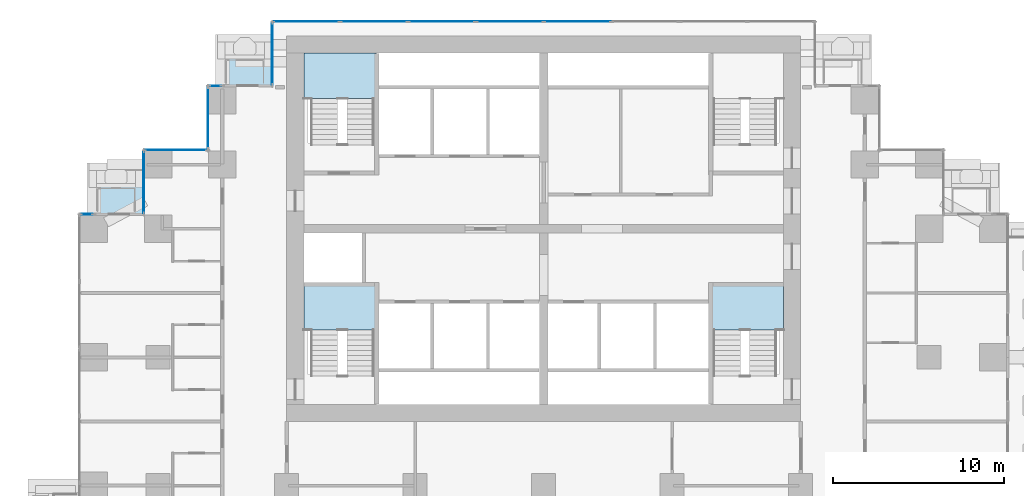
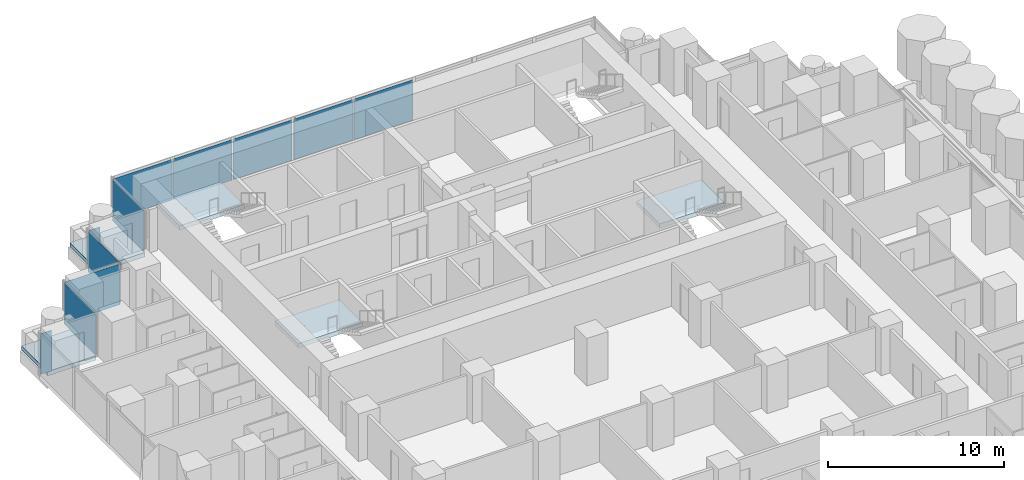
# One storey, part 8 of 18: 11 plates, 5 slabs, 11 elements without a shape of their own.
"""IFC4 building model written with IfcOpenShell, lengths in metres."""

from ifc_helpers import new_model, si_unit, direction, frame, origin, origin_2d, place, context, subcontext, project, spatial, polyline, rectangle, outline, extrude, material, layer, layer_set, type_object, element, aggregate, save


model = new_model("IFC4")

# Units and contexts
model_context = context("Model", 3, precision=1e-05, world=origin(), true_north=direction((0.0, 1.0)))
body_context = subcontext(model_context, "Body", "Model", "MODEL_VIEW")
ifc_project = project(units=[si_unit("LENGTHUNIT", "METRE"), si_unit("AREAUNIT", "SQUARE_METRE"), si_unit("VOLUMEUNIT", "CUBIC_METRE"), si_unit("PLANEANGLEUNIT", "RADIAN"), si_unit("MASSUNIT", "GRAM", prefix="KILO")], contexts=[model_context])

# Site, building, storey
site_placement = place(None, origin())
site = spatial("IfcSite", under=ifc_project, at=site_placement, CompositionType="ELEMENT")
building_placement = place(site_placement, origin())
building = spatial("IfcBuilding", under=site, at=building_placement, Name="Pilkhan Gate Tower", CompositionType="ELEMENT")
storey_placement = place(building_placement, frame((0.0, 0.0, 52.699951171875)))
storey = spatial("IfcBuildingStorey", under=building, at=storey_placement, Name="L10", CompositionType="ELEMENT", Elevation=52.699951171875)

# Slabs
ifc_material_1 = material(Name="Concrete C60/75", Category="concrete")
ifc_layer_1 = layer(ifc_material_1, 0.300048828125)
ifc_layer_set_1 = layer_set([ifc_layer_1], Name="Balcony tray slab TR300")
slab_type_1 = type_object("IfcSlabType", Name="Balcony tray slab TR300", PredefinedType="FLOOR", material=ifc_layer_set_1)
slab_1_placement = place(storey_placement, frame((0.0, 0.0, -0.300048828125)))
element("IfcSlab", 1, at=slab_1_placement, inside=storey, type_object=slab_type_1, Name="Balcony tray L10 N", PredefinedType="FLOOR", context=body_context, shape_type="SweptSolid", body=[
    extrude(outline(polyline([(59.14990234375, 90.85009765625), (59.14990234375, 93.85009765625), (55.949951171875, 93.85009765625), (55.949951171875, 90.85009765625), (59.14990234375, 90.85009765625)])), origin(), (0.0, 0.0, 1.0), 0.300048828125),
])
slab_2_placement = place(storey_placement, frame((0.0, 0.0, -0.300048828125)))
element("IfcSlab", 2, at=slab_2_placement, inside=storey, type_object=slab_type_1, Name="Balcony tray L10 N", PredefinedType="FLOOR", context=body_context, shape_type="SweptSolid", body=[
    extrude(outline(polyline([(51.6298828125, 83.3701171875), (51.6298828125, 86.35009765625), (48.449951171875, 86.35009765625), (48.449951171875, 83.3701171875), (51.6298828125, 83.3701171875)])), origin(), (0.0, 0.0, 1.0), 0.300048828125),
])

# Curtain wall, plates
ifc_material_2 = material(Name="Pale anodised aluminium, clear low-iron double glazing", Category="aluminium")
curtain_wall_type = type_object("IfcCurtainWallType", Name="Hotel unitised curtain wall CW-H", PredefinedType="USERDEFINED", material=ifc_material_2)
curtain_wall_1_placement = place(storey_placement, origin())
curtain_wall_1 = element("IfcCurtainWall", 3, at=curtain_wall_1_placement, inside=storey, type_object=curtain_wall_type, Name="Hotel unitised curtain wall CW-H L10 N", ObjectType="UNITISED CURTAIN WALL", PredefinedType="USERDEFINED")
ifc_material_3 = material(Name="Clear low-iron double glazing", Category="glass")
ifc_layer_2 = layer(ifc_material_3, 0.035888671875)
ifc_layer_set_2 = layer_set([ifc_layer_2], Name="Glass panel CW-H 36")
plate_type = type_object("IfcPlateType", Name="Glass panel CW-H 36", PredefinedType="CURTAIN_PANEL", material=ifc_layer_set_2)
plate_1_placement = place(storey_placement, frame((61.15185546875, 94.594970703125, 0.0), z_axis=(0.0, 0.0, 1.0), x_axis=(1.0, 0.0, 0.0)))
plate_1 = element("IfcPlate", 4, at=plate_1_placement, type_object=plate_type, Name="CW-H panel 1", PredefinedType="CURTAIN_PANEL", context=body_context, shape_type="SweptSolid", body=[
    extrude(rectangle(XDim=3.86376953125, YDim=0.035888671875, at=origin_2d()), origin(), (0.0, 0.0, 1.0), 2.820068359375),
])
plate_2_placement = place(storey_placement, frame((65.096923828125, 94.594970703125, 0.0), z_axis=(0.0, 0.0, 1.0), x_axis=(1.0, 0.0, 0.0)))
plate_2 = element("IfcPlate", 5, at=plate_2_placement, type_object=plate_type, Name="CW-H panel 2", PredefinedType="CURTAIN_PANEL", context=body_context, shape_type="SweptSolid", body=[
    extrude(rectangle(XDim=3.896240234375, YDim=0.035888671875, at=origin_2d()), origin(), (0.0, 0.0, 1.0), 2.820068359375),
])
plate_3_placement = place(storey_placement, frame((69.0419921875, 94.594970703125, 0.0), z_axis=(0.0, 0.0, 1.0), x_axis=(1.0, 0.0, 0.0)))
plate_3 = element("IfcPlate", 6, at=plate_3_placement, type_object=plate_type, Name="CW-H panel 3", PredefinedType="CURTAIN_PANEL", context=body_context, shape_type="SweptSolid", body=[
    extrude(rectangle(XDim=3.86376953125, YDim=0.035888671875, at=origin_2d()), origin(), (0.0, 0.0, 1.0), 2.820068359375),
])
aggregate(curtain_wall_1, [plate_1, plate_2, plate_3])

curtain_wall_2_placement = place(storey_placement, origin())
curtain_wall_2 = element("IfcCurtainWall", 7, at=curtain_wall_2_placement, inside=storey, type_object=curtain_wall_type, Name="Hotel unitised curtain wall CW-H L10 N", ObjectType="UNITISED CURTAIN WALL", PredefinedType="USERDEFINED")
plate_4_placement = place(storey_placement, frame((73.03564453125, 94.594970703125, 0.0), z_axis=(0.0, 0.0, 1.0), x_axis=(1.0, 0.0, 0.0)))
plate_4 = element("IfcPlate", 8, at=plate_4_placement, type_object=plate_type, Name="CW-H panel 1", PredefinedType="CURTAIN_PANEL", context=body_context, shape_type="SweptSolid", body=[
    extrude(rectangle(XDim=3.86376953125, YDim=0.035888671875, at=origin_2d()), origin(), (0.0, 0.0, 1.0), 2.820068359375),
])
plate_5_placement = place(storey_placement, frame((76.980712890625, 94.594970703125, 0.0), z_axis=(0.0, 0.0, 1.0), x_axis=(1.0, 0.0, 0.0)))
plate_5 = element("IfcPlate", 9, at=plate_5_placement, type_object=plate_type, Name="CW-H panel 2", PredefinedType="CURTAIN_PANEL", context=body_context, shape_type="SweptSolid", body=[
    extrude(rectangle(XDim=3.896240234375, YDim=0.035888671875, at=origin_2d()), origin(), (0.0, 0.0, 1.0), 2.820068359375),
])
aggregate(curtain_wall_2, [plate_4, plate_5])

# Curtain wall, plate
curtain_wall_3_placement = place(storey_placement, origin())
curtain_wall_3 = element("IfcCurtainWall", 10, at=curtain_wall_3_placement, inside=storey, type_object=curtain_wall_type, Name="Hotel unitised curtain wall CW-H L10 W", ObjectType="UNITISED CURTAIN WALL", PredefinedType="USERDEFINED")
plate_6_placement = place(storey_placement, frame((59.155029296875, 92.719970703125, 0.0), z_axis=(0.0, 0.0, 1.0), x_axis=(0.0, 1.0, 0.0)))
plate_6 = element("IfcPlate", 11, at=plate_6_placement, type_object=plate_type, Name="CW-H panel 1", PredefinedType="CURTAIN_PANEL", context=body_context, shape_type="SweptSolid", body=[
    extrude(rectangle(XDim=3.6201171875, YDim=0.035888671875, at=origin_2d()), origin(), (0.0, 0.0, 1.0), 2.820068359375),
])
aggregate(curtain_wall_3, [plate_6])

curtain_wall_4_placement = place(storey_placement, origin())
curtain_wall_4 = element("IfcCurtainWall", 12, at=curtain_wall_4_placement, inside=storey, type_object=curtain_wall_type, Name="Hotel unitised curtain wall CW-H L10 N", ObjectType="UNITISED CURTAIN WALL", PredefinedType="USERDEFINED")
plate_7_placement = place(storey_placement, frame((55.827392578125, 90.844970703125, 0.0), z_axis=(0.0, 0.0, 1.0), x_axis=(1.0, 0.0, 0.0)))
plate_7 = element("IfcPlate", 13, at=plate_7_placement, type_object=plate_type, Name="CW-H panel 1", PredefinedType="CURTAIN_PANEL", context=body_context, shape_type="SweptSolid", body=[
    extrude(rectangle(XDim=0.715087890625, YDim=0.035888671875, at=origin_2d()), origin(), (0.0, 0.0, 1.0), 2.820068359375),
])
aggregate(curtain_wall_4, [plate_7])

curtain_wall_5_placement = place(storey_placement, origin())
curtain_wall_5 = element("IfcCurtainWall", 14, at=curtain_wall_5_placement, inside=storey, type_object=curtain_wall_type, Name="Hotel unitised curtain wall CW-H L10 W", ObjectType="UNITISED CURTAIN WALL", PredefinedType="USERDEFINED")
plate_8_placement = place(storey_placement, frame((55.405029296875, 88.969970703125, 0.0), z_axis=(0.0, 0.0, 1.0), x_axis=(0.0, 1.0, 0.0)))
plate_8 = element("IfcPlate", 15, at=plate_8_placement, type_object=plate_type, Name="CW-H panel 1", PredefinedType="CURTAIN_PANEL", context=body_context, shape_type="SweptSolid", body=[
    extrude(rectangle(XDim=3.6201171875, YDim=0.035888671875, at=origin_2d()), origin(), (0.0, 0.0, 1.0), 2.820068359375),
])
aggregate(curtain_wall_5, [plate_8])

curtain_wall_6_placement = place(storey_placement, origin())
curtain_wall_6 = element("IfcCurtainWall", 16, at=curtain_wall_6_placement, inside=storey, type_object=curtain_wall_type, Name="Hotel unitised curtain wall CW-H L10 N", ObjectType="UNITISED CURTAIN WALL", PredefinedType="USERDEFINED")
plate_9_placement = place(storey_placement, frame((53.530029296875, 87.094970703125, 0.0), z_axis=(0.0, 0.0, 1.0), x_axis=(1.0, 0.0, 0.0)))
plate_9 = element("IfcPlate", 17, at=plate_9_placement, type_object=plate_type, Name="CW-H panel 1", PredefinedType="CURTAIN_PANEL", context=body_context, shape_type="SweptSolid", body=[
    extrude(rectangle(XDim=3.6201171875, YDim=0.035888671875, at=origin_2d()), origin(), (0.0, 0.0, 1.0), 2.820068359375),
])
aggregate(curtain_wall_6, [plate_9])

curtain_wall_7_placement = place(storey_placement, origin())
curtain_wall_7 = element("IfcCurtainWall", 18, at=curtain_wall_7_placement, inside=storey, type_object=curtain_wall_type, Name="Hotel unitised curtain wall CW-H L10 W", ObjectType="UNITISED CURTAIN WALL", PredefinedType="USERDEFINED")
plate_10_placement = place(storey_placement, frame((51.655029296875, 85.219970703125, 0.0), z_axis=(0.0, 0.0, 1.0), x_axis=(0.0, 1.0, 0.0)))
plate_10 = element("IfcPlate", 19, at=plate_10_placement, type_object=plate_type, Name="CW-H panel 1", PredefinedType="CURTAIN_PANEL", context=body_context, shape_type="SweptSolid", body=[
    extrude(rectangle(XDim=3.6201171875, YDim=0.035888671875, at=origin_2d()), origin(), (0.0, 0.0, 1.0), 2.820068359375),
])
aggregate(curtain_wall_7, [plate_10])

curtain_wall_8_placement = place(storey_placement, origin())
curtain_wall_8 = element("IfcCurtainWall", 20, at=curtain_wall_8_placement, inside=storey, type_object=curtain_wall_type, Name="Hotel unitised curtain wall CW-H L10 N", ObjectType="UNITISED CURTAIN WALL", PredefinedType="USERDEFINED")
plate_11_placement = place(storey_placement, frame((48.327392578125, 83.344970703125, 0.0), z_axis=(0.0, 0.0, 1.0), x_axis=(1.0, 0.0, 0.0)))
plate_11 = element("IfcPlate", 21, at=plate_11_placement, type_object=plate_type, Name="CW-H panel 1", PredefinedType="CURTAIN_PANEL", context=body_context, shape_type="SweptSolid", body=[
    extrude(rectangle(XDim=0.715087890625, YDim=0.035888671875, at=origin_2d()), origin(), (0.0, 0.0, 1.0), 2.820068359375),
])
aggregate(curtain_wall_8, [plate_11])

# Stair, slab
ifc_material_4 = material(Name="Concrete C40/50 precast", Category="concrete")
stair_type_1 = type_object("IfcStairType", Name="Stair ST1 165x300", PredefinedType="HALF_TURN_STAIR", material=ifc_material_4)
stair_1_placement = place(storey_placement, origin())
stair_1 = element("IfcStair", 22, at=stair_1_placement, inside=storey, type_object=stair_type_1, Name="Stair ST1 L10", PredefinedType="HALF_TURN_STAIR")
ifc_material_5 = material(Name="Concrete C40/50", Category="concrete")
ifc_layer_3 = layer(ifc_material_5, 0.199951171875)
ifc_layer_set_3 = layer_set([ifc_layer_3], Name="Stair landing SL200")
slab_type_2 = type_object("IfcSlabType", Name="Stair landing SL200", PredefinedType="LANDING", material=ifc_layer_set_3)
slab_3_placement = place(storey_placement, frame((0.0, 0.0, 1.35009765625)))
slab_3 = element("IfcSlab", 23, at=slab_3_placement, type_object=slab_type_2, Name="ST1 landing 1", PredefinedType="LANDING", context=body_context, shape_type="SweptSolid", body=[
    extrude(outline(polyline([(89.0, 76.60009765625), (89.0, 79.25), (84.75, 79.25), (84.75, 76.60009765625), (89.0, 76.60009765625)])), origin(), (0.0, 0.0, 1.0), 0.300048828125),
])
aggregate(stair_1, [slab_3])

stair_type_2 = type_object("IfcStairType", Name="Stair ST2 165x300", PredefinedType="HALF_TURN_STAIR", material=ifc_material_4)
stair_2_placement = place(storey_placement, origin())
stair_2 = element("IfcStair", 24, at=stair_2_placement, inside=storey, type_object=stair_type_2, Name="Stair ST2 L10", PredefinedType="HALF_TURN_STAIR")
slab_4_placement = place(storey_placement, frame((0.0, 0.0, 1.35009765625)))
slab_4 = element("IfcSlab", 25, at=slab_4_placement, type_object=slab_type_2, Name="ST2 landing 1", PredefinedType="LANDING", context=body_context, shape_type="SweptSolid", body=[
    extrude(outline(polyline([(65.25, 76.60009765625), (65.25, 79.25), (61.0, 79.25), (61.0, 76.60009765625), (65.25, 76.60009765625)])), origin(), (0.0, 0.0, 1.0), 0.300048828125),
])
aggregate(stair_2, [slab_4])

stair_type_3 = type_object("IfcStairType", Name="Stair ST3 165x300", PredefinedType="HALF_TURN_STAIR", material=ifc_material_4)
stair_3_placement = place(storey_placement, origin())
stair_3 = element("IfcStair", 26, at=stair_3_placement, inside=storey, type_object=stair_type_3, Name="Stair ST3 L10", PredefinedType="HALF_TURN_STAIR")
slab_5_placement = place(storey_placement, frame((0.0, 0.0, 1.35009765625)))
slab_5 = element("IfcSlab", 27, at=slab_5_placement, type_object=slab_type_2, Name="ST3 landing 1", PredefinedType="LANDING", context=body_context, shape_type="SweptSolid", body=[
    extrude(outline(polyline([(65.25, 90.10009765625), (65.25, 92.75), (61.0, 92.75), (61.0, 90.10009765625), (65.25, 90.10009765625)])), origin(), (0.0, 0.0, 1.0), 0.300048828125),
])
aggregate(stair_3, [slab_5])

save(model, "model.ifc")
